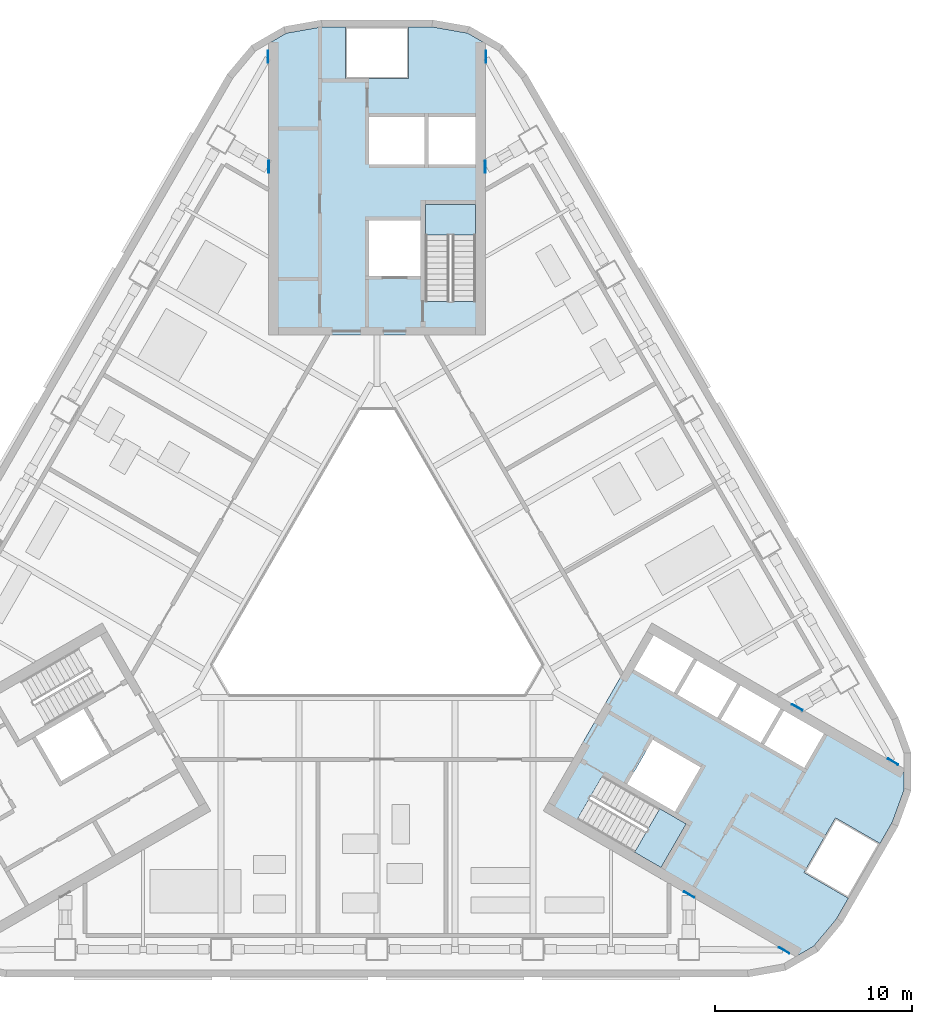
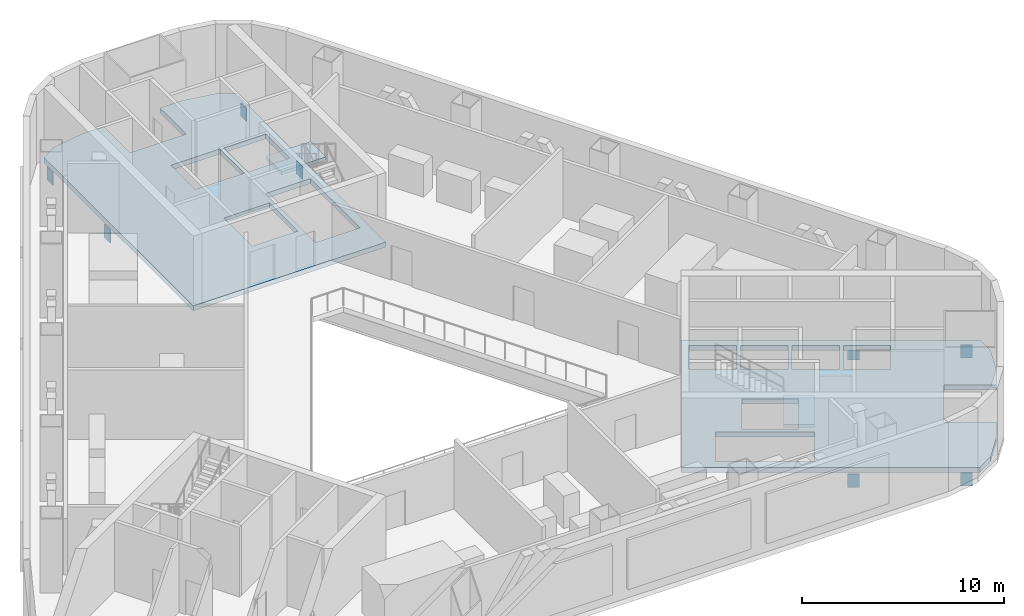
# One storey, part 6 of 15: 8 plates, 4 slabs, 2 elements without a shape of their own.
"""IFC4 building model written with IfcOpenShell, lengths in metres."""

from ifc_helpers import new_model, si_unit, direction, frame, origin, origin_2d, place, context, subcontext, project, spatial, polyline, rectangle, outline, extrude, material, layer, layer_set, type_object, element, aggregate, save


model = new_model("IFC4")

# Units and contexts
model_context = context("Model", 3, precision=1e-05, world=origin(), true_north=direction((0.0, 1.0)))
body_context = subcontext(model_context, "Body", "Model", "MODEL_VIEW")
ifc_project = project(units=[si_unit("LENGTHUNIT", "METRE"), si_unit("AREAUNIT", "SQUARE_METRE"), si_unit("VOLUMEUNIT", "CUBIC_METRE"), si_unit("PLANEANGLEUNIT", "RADIAN"), si_unit("MASSUNIT", "GRAM", prefix="KILO")], contexts=[model_context])

# Site, building, storey
site_placement = place(None, origin())
site = spatial("IfcSite", under=ifc_project, at=site_placement, CompositionType="ELEMENT")
building_placement = place(site_placement, origin())
building = spatial("IfcBuilding", under=site, at=building_placement, Name="Apuvela Tower Hotel", CompositionType="ELEMENT")
storey_placement = place(building_placement, frame((0.0, 0.0, 37.5)))
storey = spatial("IfcBuildingStorey", under=building, at=storey_placement, Name="L06 Plant", CompositionType="ELEMENT", Elevation=37.5)

# Slabs
ifc_material_1 = material(Name="Concrete C50/60", Category="concrete")
ifc_layer_1 = layer(ifc_material_1, 0.300048828125)
ifc_layer_set_1 = layer_set([ifc_layer_1], Name="COR-FLOOR-300")
slab_type_1 = type_object("IfcSlabType", Name="COR-FLOOR-300", PredefinedType="FLOOR", material=ifc_layer_set_1)
slab_1_placement = place(storey_placement, frame((0.0, 0.0, -0.300048828125)))
element("IfcSlab", 1, at=slab_1_placement, inside=storey, type_object=slab_type_1, Name="Core floor N", PredefinedType="FLOOR", context=body_context, shape_type="SweptSolid", body=[
    extrude(outline(polyline([(5.5, 27.668212890625), (4.588623046875, 28.1943359375), (2.85498046875, 28.5), (1.60009765625, 28.5), (1.60009765625, 25.89990234375), (-1.60009765625, 25.89990234375), (-1.60009765625, 28.5), (-2.85498046875, 28.5), (-4.588623046875, 28.1943359375), (-5.5, 27.668212890625), (-5.5, 12.89990234375), (5.5, 12.89990234375), (5.5, 27.668212890625)]), holes=[polyline([(5.0, 14.60595703125), (2.449951171875, 14.60595703125), (2.449951171875, 19.5), (5.0, 19.5), (5.0, 14.60595703125)]), polyline([(2.199951171875, 15.89990234375), (-0.39990234375, 15.89990234375), (-0.39990234375, 18.699951171875), (2.199951171875, 18.699951171875), (2.199951171875, 15.89990234375)]), polyline([(5.0, 21.550048828125), (2.60009765625, 21.550048828125), (2.60009765625, 23.949951171875), (5.0, 23.949951171875), (5.0, 21.550048828125)]), polyline([(2.39990234375, 21.550048828125), (-0.39990234375, 21.550048828125), (-0.39990234375, 23.949951171875), (2.39990234375, 23.949951171875), (2.39990234375, 21.550048828125)])]), origin(), (0.0, 0.0, 1.0), 0.300048828125),
])
slab_2_placement = place(storey_placement, frame((0.0, 0.0, -0.300048828125)))
element("IfcSlab", 2, at=slab_2_placement, inside=storey, type_object=slab_type_1, Name="Core floor SE", PredefinedType="FLOOR", context=body_context, shape_type="SweptSolid", body=[
    extrude(outline(polyline([(21.211181640625, -18.59716796875), (22.122802734375, -18.071044921875), (23.254150390625, -16.72265625), (23.881591796875, -15.635498046875), (21.630126953125, -14.335693359375), (23.22998046875, -11.564453125), (25.481689453125, -12.864501953125), (26.109375, -11.77734375), (26.711181640625, -10.123291015625), (26.711181640625, -9.07080078125), (13.921630859375, -1.68701171875), (8.421630859375, -11.213134765625), (21.211181640625, -18.59716796875)]), holes=[polyline([(13.01806640625, -4.052001953125), (14.01806640625, -2.31982421875), (16.044677734375, -3.489990234375), (15.044677734375, -5.221923828125), (13.01806640625, -4.052001953125)]), polyline([(17.244384765625, -6.491943359375), (15.2177734375, -5.322021484375), (16.2177734375, -3.58984375), (18.244384765625, -4.760009765625), (17.244384765625, -6.491943359375)]), polyline([(14.387451171875, -14.080078125), (10.149169921875, -11.633056640625), (11.42431640625, -9.4248046875), (15.66259765625, -11.871826171875), (14.387451171875, -14.080078125)]), polyline([(12.669921875, -9.855224609375), (13.9697265625, -7.603515625), (16.394775390625, -9.003662109375), (15.0947265625, -11.25537109375), (12.669921875, -9.855224609375)]), polyline([(19.444091796875, -7.761962890625), (17.41748046875, -6.591796875), (18.41748046875, -4.85986328125), (20.444091796875, -6.02978515625), (19.444091796875, -7.761962890625)]), polyline([(21.643798828125, -9.031982421875), (19.6171875, -7.86181640625), (20.6171875, -6.1298828125), (22.643798828125, -7.2998046875), (21.643798828125, -9.031982421875)])]), origin(), (0.0, 0.0, 1.0), 0.300048828125),
])

# Stair, slab
stair_type = type_object("IfcStairType", Name="COR-STAIR-26R", PredefinedType="HALF_TURN_STAIR", material=ifc_material_1)
stair_1_placement = place(storey_placement, origin())
stair_1 = element("IfcStair", 3, at=stair_1_placement, inside=storey, type_object=stair_type, Name="L06 Plant Exit stair ST1", PredefinedType="HALF_TURN_STAIR")
ifc_layer_2 = layer(ifc_material_1, 0.199951171875)
ifc_layer_set_2 = layer_set([ifc_layer_2], Name="COR-LANDING-200")
slab_type_2 = type_object("IfcSlabType", Name="COR-LANDING-200", PredefinedType="LANDING", material=ifc_layer_set_2)
slab_3_placement = place(storey_placement, frame((0.0, 0.0, 2.050048828125)))
slab_3 = element("IfcSlab", 4, at=slab_3_placement, type_object=slab_type_2, Name="ST1 landing 1", PredefinedType="LANDING", context=body_context, shape_type="SweptSolid", body=[
    extrude(outline(polyline([(5.0, 17.9541015625), (5.0, 19.5), (2.449951171875, 19.5), (2.449951171875, 17.9541015625), (5.0, 17.9541015625)])), origin(), (0.0, 0.0, 1.0), 0.199951171875),
])
aggregate(stair_1, [slab_3])

stair_2_placement = place(storey_placement, origin())
stair_2 = element("IfcStair", 5, at=stair_2_placement, inside=storey, type_object=stair_type, Name="L06 Plant Exit stair ST3", PredefinedType="HALF_TURN_STAIR")
slab_4_placement = place(storey_placement, frame((0.0, 0.0, 2.050048828125)))
slab_4 = element("IfcSlab", 6, at=slab_4_placement, type_object=slab_type_2, Name="ST3 landing 1", PredefinedType="LANDING", context=body_context, shape_type="SweptSolid", body=[
    extrude(outline(polyline([(13.048583984375, -13.30712890625), (14.387451171875, -14.080078125), (15.66259765625, -11.871826171875), (14.32373046875, -11.098876953125), (13.048583984375, -13.30712890625)])), origin(), (0.0, 0.0, 1.0), 0.199951171875),
])
aggregate(stair_2, [slab_4])

# Plates
ifc_material_2 = material(Name="Steel S355", Category="steel")
ifc_layer_3 = layer(ifc_material_2, 0.0400390625)
ifc_layer_set_3 = layer_set([ifc_layer_3], Name="STR-CP 40 Steel S355")
plate_type = type_object("IfcPlateType", Name="STR-CP 40 Steel S355", PredefinedType="SHEET", material=ifc_layer_set_3)
for number, where, z_axis, x_axis, name in (
    (7, (20.622802734375, -18.280517578125, -1.10693359375), (0.0, 0.0, 1.0), (-0.5, -0.866025403784, 0.0), "Cast-in plate CP-T0-2 40"),
    (8, (26.142578125, -8.719482421875, -1.10693359375), (0.0, 0.0, 1.0), (0.5, 0.866025403784, 0.0), "Cast-in plate CP-T0-3 40"),
    (9, (5.52001953125, 27.0, -1.10693359375), (0.0, 0.0, 1.0), (1.0, 0.0, 0.0), "Cast-in plate CP-T0-4 40"),
    (10, (-5.52001953125, 27.0, -1.10693359375), (0.0, 0.0, 1.0), (-1.0, 0.0, 0.0), "Cast-in plate CP-T0-5 40"),
    (11, (21.2900390625, -5.964111328125, -1.2041015625), (0.0, 0.0, 1.0), (-0.5, -0.866025403784, 0.0), "Cast-in plate CP-T0-7 40"),
    (12, (5.47998046875, 21.419677734375, -1.2041015625), (0.0, 0.0, 1.0), (-1.0, 0.0, 0.0), "Cast-in plate CP-T0-8 40"),
    (13, (-5.47998046875, 21.419677734375, -1.2041015625), (0.0, 0.0, 1.0), (1.0, 0.0, 0.0), "Cast-in plate CP-T0-9 40"),
    (14, (15.81005859375, -15.455810546875, -1.2041015625), (0.0, 0.0, 1.0), (0.5, 0.866025403784, 0.0), "Cast-in plate CP-T0-12 40"),
):
    element("IfcPlate", number, at=place(storey_placement, frame(where, z_axis=z_axis, x_axis=x_axis)), inside=storey, type_object=plate_type, Name=name, PredefinedType="SHEET", context=body_context, shape_type="SweptSolid", body=[
        extrude(rectangle(XDim=0.0400390625, YDim=0.60009765625, at=origin_2d()), origin(), (0.0, 0.0, 1.0), 0.800048828125),
    ])

save(model, "model.ifc")
